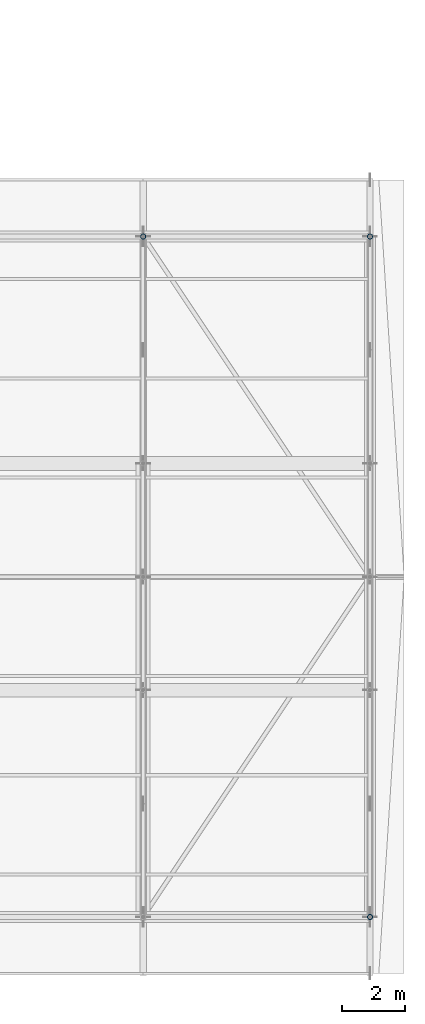
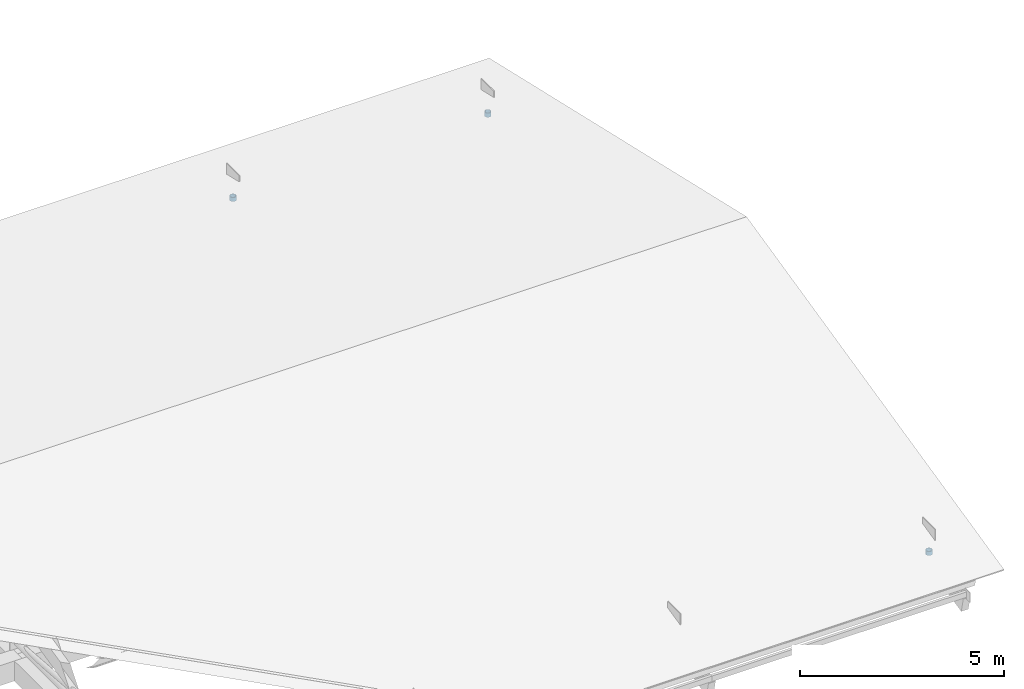
# One storey, part 63 of 93: 3 members.
"""IFC4 building model written with IfcOpenShell, lengths in metres."""

from ifc_helpers import new_model, si_unit, direction, frame, origin, origin_2d, place, context, subcontext, project, spatial, hollow_circle, extrude, material, material_profile, profile_set, type_object, element, save


model = new_model("IFC4")

# Units and contexts
model_context = context("Model", 3, precision=1e-05, world=origin(), true_north=direction((0.0, 1.0)))
body_context = subcontext(model_context, "Body", "Model", "MODEL_VIEW")
ifc_project = project(units=[si_unit("LENGTHUNIT", "METRE"), si_unit("AREAUNIT", "SQUARE_METRE"), si_unit("VOLUMEUNIT", "CUBIC_METRE"), si_unit("PLANEANGLEUNIT", "RADIAN"), si_unit("MASSUNIT", "GRAM", prefix="KILO")], contexts=[model_context])

# Site, building, storey
site_placement = place(None, origin())
site = spatial("IfcSite", under=ifc_project, at=site_placement, CompositionType="ELEMENT")
building_placement = place(site_placement, origin())
building = spatial("IfcBuilding", under=site, at=building_placement, Name="Zornivar Specialist Clinic", CompositionType="ELEMENT")
storey_placement = place(building_placement, frame((0.0, 0.0, 8.39990234375)))
storey = spatial("IfcBuildingStorey", under=building, at=storey_placement, Name="L02", CompositionType="ELEMENT", Elevation=8.39990234375)

# Members
ifc_material = material(Name="Steel S355J2", Category="steel")
ifc_material_profile = material_profile(ifc_material, hollow_circle(Radius=0.084228515625, WallThickness=0.010009765625, at=origin_2d()), Name="CHS 168.3x10")
ifc_profile_set = profile_set([ifc_material_profile], Name="Steel S355J2")
member_type = type_object("IfcMemberType", Name="MEM-STRUT-CHS168", PredefinedType="STRUT", material=ifc_profile_set)
for number, where, z_axis, x_axis, name in (
    (1, (158.39990234375, 21.60009765625, -0.079833984375), (0.0, 0.0, -1.0), (1.0, 0.0, 0.0), "mem:V4:L02:post:5:N"),
    (2, (165.60009765625, 0.0, -0.079833984375), (0.0, 0.0, -1.0), (1.0, 0.0, 0.0), "mem:V4:L02:post:6:S"),
    (3, (165.60009765625, 21.60009765625, -0.079833984375), (0.0, 0.0, -1.0), (1.0, 0.0, 0.0), "mem:V4:L02:post:6:N"),
):
    element("IfcMember", number, at=place(storey_placement, frame(where, z_axis=z_axis, x_axis=x_axis)), inside=storey, type_object=member_type, Name=name, PredefinedType="STRUT", context=body_context, shape_type="SweptSolid", body=[
        extrude(hollow_circle(Radius=0.084228515625, WallThickness=0.010009765625, at=origin_2d()), origin(), (0.0, 0.0, 1.0), 0.123046875),
    ])

save(model, "model.ifc")
